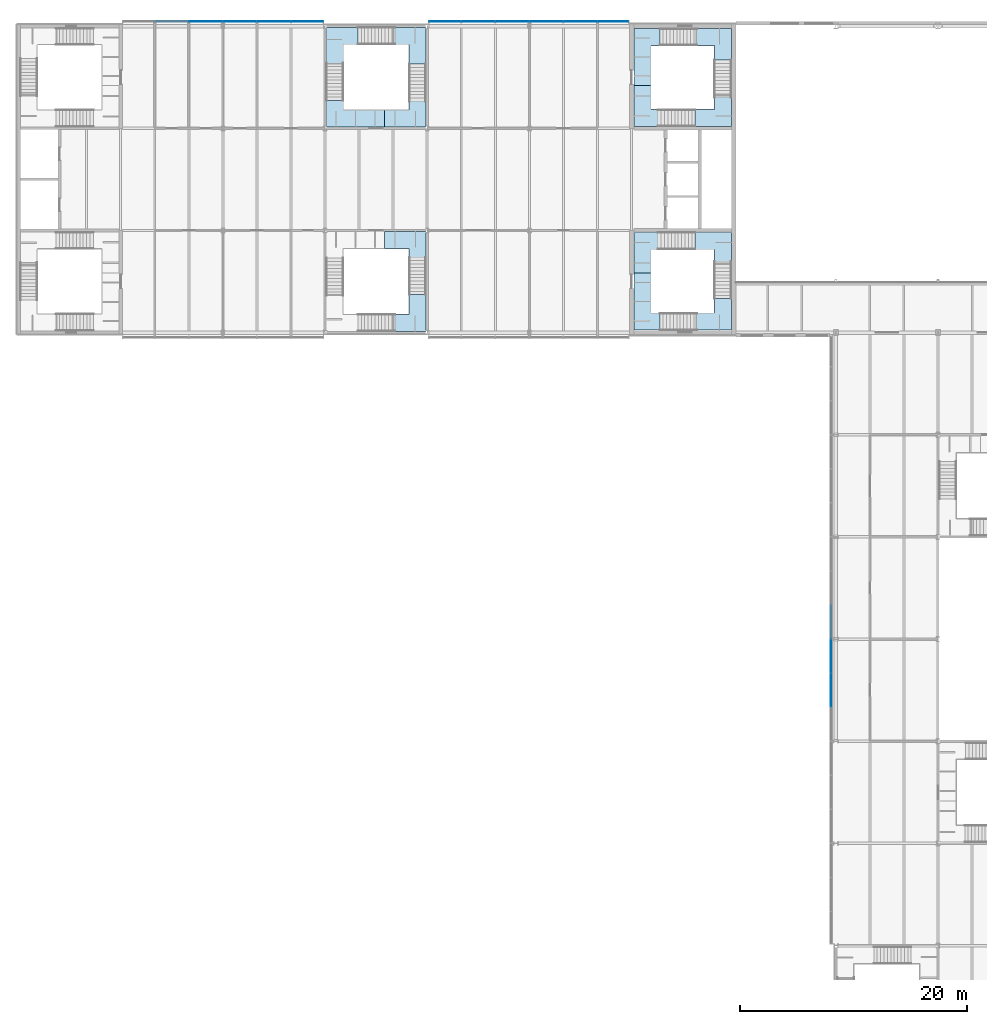
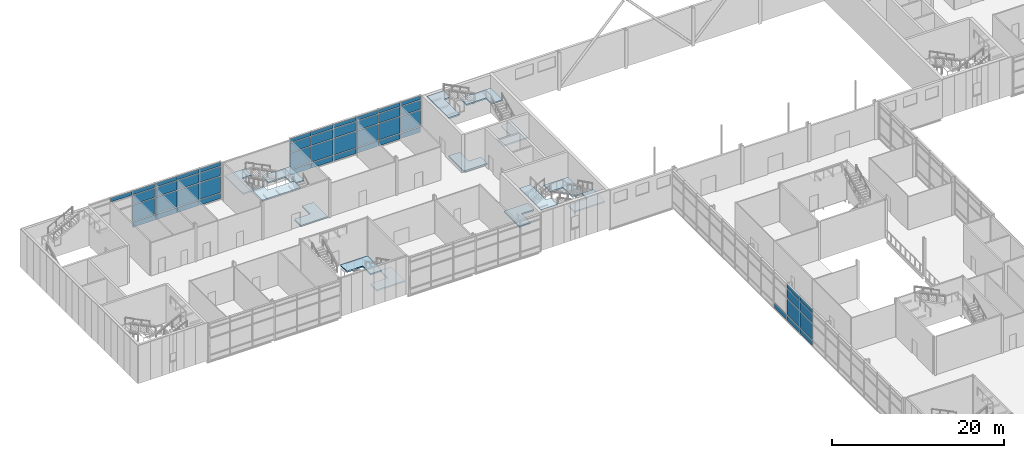
# One storey, part 32 of 56: 50 plates, 14 slabs, 7 elements without a shape of their own.
"""IFC4 building model written with IfcOpenShell, lengths in metres."""

from ifc_helpers import new_model, si_unit, direction, frame, origin, origin_2d, place, context, subcontext, project, spatial, polyline, rectangle, outline, extrude, material, layer, layer_set, type_object, element, aggregate, save


model = new_model("IFC4")

# Units and contexts
model_context = context("Model", 3, precision=1e-05, world=origin(), true_north=direction((0.0, 1.0)))
body_context = subcontext(model_context, "Body", "Model", "MODEL_VIEW")
ifc_project = project(units=[si_unit("LENGTHUNIT", "METRE"), si_unit("AREAUNIT", "SQUARE_METRE"), si_unit("VOLUMEUNIT", "CUBIC_METRE"), si_unit("PLANEANGLEUNIT", "RADIAN"), si_unit("MASSUNIT", "GRAM", prefix="KILO")], contexts=[model_context])

# Site, building, storey
site_placement = place(None, origin())
site = spatial("IfcSite", under=ifc_project, at=site_placement, CompositionType="ELEMENT")
building_placement = place(site_placement, origin())
building = spatial("IfcBuilding", under=site, at=building_placement, Name="Azimuth Sports and Learning Centre", CompositionType="ELEMENT")
storey_placement = place(building_placement, frame((0.0, 0.0, 5.39990234375)))
storey = spatial("IfcBuildingStorey", under=building, at=storey_placement, Name="L01", CompositionType="ELEMENT", Elevation=5.39990234375)

# Stair, slabs
ifc_material_1 = material(Name="Concrete C32/40", Category="concrete")
stair_type_1 = type_object("IfcStairType", Name="Square-well stair core 5400 storey", PredefinedType="THREE_QUARTER_TURN_STAIR", material=ifc_material_1)
stair_1_placement = place(storey_placement, origin())
stair_1 = element("IfcStair", 1, at=stair_1_placement, inside=storey, type_object=stair_type_1, Name="Stair W1 L01-L02", PredefinedType="THREE_QUARTER_TURN_STAIR")
ifc_material_2 = material(Name="Concrete C32/40", Category="concrete")
ifc_layer_1 = layer(ifc_material_2, 0.199951171875)
ifc_layer_set_1 = layer_set([ifc_layer_1], Name="Concrete C32/40")
slab_type = type_object("IfcSlabType", Name="Concrete stair landing", PredefinedType="LANDING", material=ifc_layer_set_1)
slab_1_placement = place(storey_placement, frame((0.0, 0.0, -0.199951171875)))
slab_1 = element("IfcSlab", 2, at=slab_1_placement, type_object=slab_type, Name="Stair W1 L01 landing 1", PredefinedType="LANDING", context=body_context, shape_type="SweptSolid", body=[
    extrude(outline(polyline([(54.2099609375, 98.840087890625), (54.2099609375, 95.25), (55.7099609375, 95.25), (55.7099609375, 97.340087890625), (57.409912109375, 97.340087890625), (57.409912109375, 98.840087890625), (54.2099609375, 98.840087890625)])), origin(), (0.0, 0.0, 1.0), 0.199951171875),
])
slab_2_placement = place(storey_placement, frame((0.0, 0.0, 1.60009765625)))
slab_2 = element("IfcSlab", 3, at=slab_2_placement, type_object=slab_type, Name="Stair W1 L01 landing 2", PredefinedType="LANDING", context=body_context, shape_type="SweptSolid", body=[
    extrude(outline(polyline([(61.2900390625, 97.340087890625), (61.2900390625, 95.18994140625), (62.7900390625, 95.18994140625), (62.7900390625, 98.840087890625), (59.609375, 98.840087890625), (59.609375, 97.340087890625), (61.2900390625, 97.340087890625)])), origin(), (0.0, 0.0, 1.0), 0.199951171875),
])
slab_3_placement = place(storey_placement, frame((0.0, 0.0, 3.400146484375)))
slab_3 = element("IfcSlab", 4, at=slab_3_placement, type_object=slab_type, Name="Stair W1 L01 landing 3", PredefinedType="LANDING", context=body_context, shape_type="SweptSolid", body=[
    extrude(outline(polyline([(61.2900390625, 91.7099609375), (58.68994140625, 91.7099609375), (58.68994140625, 90.2099609375), (62.7900390625, 90.2099609375), (62.7900390625, 92.99072265625), (61.2900390625, 92.99072265625), (61.2900390625, 91.7099609375)])), origin(), (0.0, 0.0, 1.0), 0.199951171875),
])
slab_4_placement = place(storey_placement, frame((0.0, 0.0, 5.2001953125)))
slab_4 = element("IfcSlab", 5, at=slab_4_placement, type_object=slab_type, Name="Stair W1 L01 landing 4", PredefinedType="LANDING", context=body_context, shape_type="SweptSolid", body=[
    extrude(outline(polyline([(55.7099609375, 91.7099609375), (55.7099609375, 95.25), (54.2099609375, 95.25), (54.2099609375, 90.2099609375), (56.49072265625, 90.2099609375), (56.49072265625, 91.7099609375), (55.7099609375, 91.7099609375)])), origin(), (0.0, 0.0, 1.0), 0.199951171875),
])
aggregate(stair_1, [slab_1, slab_2, slab_3, slab_4])

stair_2_placement = place(storey_placement, origin())
stair_2 = element("IfcStair", 6, at=stair_2_placement, inside=storey, type_object=stair_type_1, Name="Stair W2 L01-L02", PredefinedType="THREE_QUARTER_TURN_STAIR")
slab_5_placement = place(storey_placement, frame((0.0, 0.0, -0.199951171875)))
slab_5 = element("IfcSlab", 7, at=slab_5_placement, type_object=slab_type, Name="Stair W2 L01 landing 1", PredefinedType="LANDING", context=body_context, shape_type="SweptSolid", body=[
    extrude(outline(polyline([(57.409912109375, 109.659912109375), (55.7099609375, 109.659912109375), (55.7099609375, 111.75), (54.2099609375, 111.75), (54.2099609375, 108.159912109375), (57.409912109375, 108.159912109375), (57.409912109375, 109.659912109375)])), origin(), (0.0, 0.0, 1.0), 0.199951171875),
])
slab_6_placement = place(storey_placement, frame((0.0, 0.0, 1.60009765625)))
slab_6 = element("IfcSlab", 8, at=slab_6_placement, type_object=slab_type, Name="Stair W2 L01 landing 2", PredefinedType="LANDING", context=body_context, shape_type="SweptSolid", body=[
    extrude(outline(polyline([(61.2900390625, 109.659912109375), (59.609375, 109.659912109375), (59.609375, 108.159912109375), (62.7900390625, 108.159912109375), (62.7900390625, 111.81005859375), (61.2900390625, 111.81005859375), (61.2900390625, 109.659912109375)])), origin(), (0.0, 0.0, 1.0), 0.199951171875),
])
slab_7_placement = place(storey_placement, frame((0.0, 0.0, 3.400146484375)))
slab_7 = element("IfcSlab", 9, at=slab_7_placement, type_object=slab_type, Name="Stair W2 L01 landing 3", PredefinedType="LANDING", context=body_context, shape_type="SweptSolid", body=[
    extrude(outline(polyline([(61.2900390625, 115.2900390625), (61.2900390625, 114.00927734375), (62.7900390625, 114.00927734375), (62.7900390625, 116.7900390625), (58.68994140625, 116.7900390625), (58.68994140625, 115.2900390625), (61.2900390625, 115.2900390625)])), origin(), (0.0, 0.0, 1.0), 0.199951171875),
])
slab_8_placement = place(storey_placement, frame((0.0, 0.0, 5.2001953125)))
slab_8 = element("IfcSlab", 10, at=slab_8_placement, type_object=slab_type, Name="Stair W2 L01 landing 4", PredefinedType="LANDING", context=body_context, shape_type="SweptSolid", body=[
    extrude(outline(polyline([(55.7099609375, 115.2900390625), (56.49072265625, 115.2900390625), (56.49072265625, 116.7900390625), (54.2099609375, 116.7900390625), (54.2099609375, 111.75), (55.7099609375, 111.75), (55.7099609375, 115.2900390625)])), origin(), (0.0, 0.0, 1.0), 0.199951171875),
])
aggregate(stair_2, [slab_5, slab_6, slab_7, slab_8])

ifc_material_3 = material(Name="Concrete C32/40", Category="concrete")
stair_type_2 = type_object("IfcStairType", Name="Square-well stair mid-wing cell 5400 storey", PredefinedType="THREE_QUARTER_TURN_STAIR", material=ifc_material_3)
stair_3_placement = place(storey_placement, origin())
stair_3 = element("IfcStair", 11, at=stair_3_placement, inside=storey, type_object=stair_type_2, Name="Stair WM1 L01-L02", PredefinedType="THREE_QUARTER_TURN_STAIR")
slab_9_placement = place(storey_placement, frame((0.0, 0.0, -0.199951171875)))
slab_9 = element("IfcSlab", 12, at=slab_9_placement, type_object=slab_type, Name="Stair WM1 L01 landing 1", PredefinedType="LANDING", context=body_context, shape_type="SweptSolid", body=[
    extrude(outline(polyline([(35.889892578125, 98.889892578125), (32.25, 98.889892578125), (32.25, 97.389892578125), (34.389892578125, 97.389892578125), (34.389892578125, 95.5400390625), (35.889892578125, 95.5400390625), (35.889892578125, 98.889892578125)])), origin(), (0.0, 0.0, 1.0), 0.199951171875),
])
slab_10_placement = place(storey_placement, frame((0.0, 0.0, 1.60009765625)))
slab_10 = element("IfcSlab", 13, at=slab_10_placement, type_object=slab_type, Name="Stair WM1 L01 landing 2", PredefinedType="LANDING", context=body_context, shape_type="SweptSolid", body=[
    extrude(outline(polyline([(34.389892578125, 91.610107421875), (32.090087890625, 91.610107421875), (32.090087890625, 90.110107421875), (35.889892578125, 90.110107421875), (35.889892578125, 93.3408203125), (34.389892578125, 93.3408203125), (34.389892578125, 91.610107421875)])), origin(), (0.0, 0.0, 1.0), 0.199951171875),
])
aggregate(stair_3, [slab_9, slab_10])

stair_4_placement = place(storey_placement, origin())
stair_4 = element("IfcStair", 14, at=stair_4_placement, inside=storey, type_object=stair_type_2, Name="Stair WM2 L01-L02", PredefinedType="THREE_QUARTER_TURN_STAIR")
slab_11_placement = place(storey_placement, frame((0.0, 0.0, -0.199951171875)))
slab_11 = element("IfcSlab", 15, at=slab_11_placement, type_object=slab_type, Name="Stair WM2 L01 landing 1", PredefinedType="LANDING", context=body_context, shape_type="SweptSolid", body=[
    extrude(outline(polyline([(34.389892578125, 111.4599609375), (34.389892578125, 109.610107421875), (32.25, 109.610107421875), (32.25, 108.110107421875), (35.889892578125, 108.110107421875), (35.889892578125, 111.4599609375), (34.389892578125, 111.4599609375)])), origin(), (0.0, 0.0, 1.0), 0.199951171875),
])
slab_12_placement = place(storey_placement, frame((0.0, 0.0, 1.60009765625)))
slab_12 = element("IfcSlab", 16, at=slab_12_placement, type_object=slab_type, Name="Stair WM2 L01 landing 2", PredefinedType="LANDING", context=body_context, shape_type="SweptSolid", body=[
    extrude(outline(polyline([(34.389892578125, 115.389892578125), (34.389892578125, 113.6591796875), (35.889892578125, 113.6591796875), (35.889892578125, 116.889892578125), (32.090087890625, 116.889892578125), (32.090087890625, 115.389892578125), (34.389892578125, 115.389892578125)])), origin(), (0.0, 0.0, 1.0), 0.199951171875),
])
slab_13_placement = place(storey_placement, frame((0.0, 0.0, 3.400146484375)))
slab_13 = element("IfcSlab", 17, at=slab_13_placement, type_object=slab_type, Name="Stair WM2 L01 landing 3", PredefinedType="LANDING", context=body_context, shape_type="SweptSolid", body=[
    extrude(outline(polyline([(28.610107421875, 115.389892578125), (29.890625, 115.389892578125), (29.890625, 116.889892578125), (27.110107421875, 116.889892578125), (27.110107421875, 112.639892578125), (28.610107421875, 112.639892578125), (28.610107421875, 115.389892578125)])), origin(), (0.0, 0.0, 1.0), 0.199951171875),
])
slab_14_placement = place(storey_placement, frame((0.0, 0.0, 5.2001953125)))
slab_14 = element("IfcSlab", 18, at=slab_14_placement, type_object=slab_type, Name="Stair WM2 L01 landing 4", PredefinedType="LANDING", context=body_context, shape_type="SweptSolid", body=[
    extrude(outline(polyline([(28.610107421875, 109.610107421875), (28.610107421875, 110.440673828125), (27.110107421875, 110.440673828125), (27.110107421875, 108.110107421875), (32.25, 108.110107421875), (32.25, 109.610107421875), (28.610107421875, 109.610107421875)])), origin(), (0.0, 0.0, 1.0), 0.199951171875),
])
aggregate(stair_4, [slab_11, slab_12, slab_13, slab_14])

# Curtain wall, plates
ifc_material_4 = material(Name="Aluminium and glass", Category="aluminium")
curtain_wall_type_1 = type_object("IfcCurtainWallType", Name="Curtain wall podium stem 240", PredefinedType="NOTDEFINED", material=ifc_material_4)
curtain_wall_1_placement = place(storey_placement, origin())
curtain_wall_1 = element("IfcCurtainWall", 19, at=curtain_wall_1_placement, inside=storey, type_object=curtain_wall_type_1, Name="Curtain wall CW01-003", PredefinedType="NOTDEFINED")
ifc_material_5 = material(Name="Insulated aluminium panel", Category="aluminium")
ifc_layer_2 = layer(ifc_material_5, 0.06005859375)
ifc_layer_set_2 = layer_set([ifc_layer_2], Name="Insulated aluminium panel")
plate_type_1 = type_object("IfcPlateType", Name="Spandrel panel 60 mm", PredefinedType="CURTAIN_PANEL", material=ifc_layer_set_2)
plate_1_placement = place(storey_placement, frame((71.580078125, 64.5, 0.1201171875), z_axis=(0.0, 0.0, 1.0), x_axis=(0.0, -1.0, 0.0)))
plate_1 = element("IfcPlate", 20, at=plate_1_placement, type_object=plate_type_1, Name="CW01-003 panel 9.1", PredefinedType="CURTAIN_PANEL", context=body_context, shape_type="SweptSolid", body=[
    extrude(rectangle(XDim=2.919921875, YDim=0.06005859375, at=origin_2d()), origin(), (0.0, 0.0, 1.0), 0.719970703125),
])
plate_2_placement = place(storey_placement, frame((71.580078125, 61.5, 0.1201171875), z_axis=(0.0, 0.0, 1.0), x_axis=(0.0, -1.0, 0.0)))
plate_2 = element("IfcPlate", 21, at=plate_2_placement, type_object=plate_type_1, Name="CW01-003 panel 10.1", PredefinedType="CURTAIN_PANEL", context=body_context, shape_type="SweptSolid", body=[
    extrude(rectangle(XDim=2.919921875, YDim=0.06005859375, at=origin_2d()), origin(), (0.0, 0.0, 1.0), 0.719970703125),
])
plate_3_placement = place(storey_placement, frame((71.580078125, 61.5, 4.760009765625), z_axis=(0.0, 0.0, 1.0), x_axis=(0.0, -1.0, 0.0)))
plate_3 = element("IfcPlate", 22, at=plate_3_placement, type_object=plate_type_1, Name="CW01-003 panel 10.4", PredefinedType="CURTAIN_PANEL", context=body_context, shape_type="SweptSolid", body=[
    extrude(rectangle(XDim=2.919921875, YDim=0.06005859375, at=origin_2d()), origin(), (0.0, 0.0, 1.0), 0.52001953125),
])
plate_4_placement = place(storey_placement, frame((71.580078125, 58.5, 0.1201171875), z_axis=(0.0, 0.0, 1.0), x_axis=(0.0, -1.0, 0.0)))
plate_4 = element("IfcPlate", 23, at=plate_4_placement, type_object=plate_type_1, Name="CW01-003 panel 11.1", PredefinedType="CURTAIN_PANEL", context=body_context, shape_type="SweptSolid", body=[
    extrude(rectangle(XDim=2.919921875, YDim=0.06005859375, at=origin_2d()), origin(), (0.0, 0.0, 1.0), 0.719970703125),
])
plate_5_placement = place(storey_placement, frame((71.580078125, 58.5, 4.760009765625), z_axis=(0.0, 0.0, 1.0), x_axis=(0.0, -1.0, 0.0)))
plate_5 = element("IfcPlate", 24, at=plate_5_placement, type_object=plate_type_1, Name="CW01-003 panel 11.4", PredefinedType="CURTAIN_PANEL", context=body_context, shape_type="SweptSolid", body=[
    extrude(rectangle(XDim=2.919921875, YDim=0.06005859375, at=origin_2d()), origin(), (0.0, 0.0, 1.0), 0.52001953125),
])

ifc_material_6 = material(Name="Aluminium and glass", Category="aluminium")
curtain_wall_type_2 = type_object("IfcCurtainWallType", Name="Curtain wall podium wing 240", PredefinedType="NOTDEFINED", material=ifc_material_6)
curtain_wall_2_placement = place(storey_placement, origin())
curtain_wall_2 = element("IfcCurtainWall", 25, at=curtain_wall_2_placement, inside=storey, type_object=curtain_wall_type_2, Name="Curtain wall CW01-013", PredefinedType="NOTDEFINED")
plate_6_placement = place(storey_placement, frame((52.3798828125, 117.419921875, 0.1201171875), z_axis=(0.0, 0.0, 1.0), x_axis=(-1.0, 0.0, 0.0)))
plate_6 = element("IfcPlate", 26, at=plate_6_placement, type_object=plate_type_1, Name="CW01-013 panel 1.1", PredefinedType="CURTAIN_PANEL", context=body_context, shape_type="SweptSolid", body=[
    extrude(rectangle(XDim=2.679931640625, YDim=0.06005859375, at=origin_2d()), origin(), (0.0, 0.0, 1.0), 0.719970703125),
])
plate_7_placement = place(storey_placement, frame((52.3798828125, 117.419921875, 4.760009765625), z_axis=(0.0, 0.0, 1.0), x_axis=(-1.0, 0.0, 0.0)))
plate_7 = element("IfcPlate", 27, at=plate_7_placement, type_object=plate_type_1, Name="CW01-013 panel 1.4", PredefinedType="CURTAIN_PANEL", context=body_context, shape_type="SweptSolid", body=[
    extrude(rectangle(XDim=2.679931640625, YDim=0.06005859375, at=origin_2d()), origin(), (0.0, 0.0, 1.0), 0.52001953125),
])
plate_8_placement = place(storey_placement, frame((49.5, 117.419921875, 0.1201171875), z_axis=(0.0, 0.0, 1.0), x_axis=(-1.0, 0.0, 0.0)))
plate_8 = element("IfcPlate", 28, at=plate_8_placement, type_object=plate_type_1, Name="CW01-013 panel 2.1", PredefinedType="CURTAIN_PANEL", context=body_context, shape_type="SweptSolid", body=[
    extrude(rectangle(XDim=2.919921875, YDim=0.06005859375, at=origin_2d()), origin(), (0.0, 0.0, 1.0), 0.719970703125),
])
plate_9_placement = place(storey_placement, frame((49.5, 117.419921875, 4.760009765625), z_axis=(0.0, 0.0, 1.0), x_axis=(-1.0, 0.0, 0.0)))
plate_9 = element("IfcPlate", 29, at=plate_9_placement, type_object=plate_type_1, Name="CW01-013 panel 2.4", PredefinedType="CURTAIN_PANEL", context=body_context, shape_type="SweptSolid", body=[
    extrude(rectangle(XDim=2.919921875, YDim=0.06005859375, at=origin_2d()), origin(), (0.0, 0.0, 1.0), 0.52001953125),
])
plate_10_placement = place(storey_placement, frame((46.5, 117.419921875, 0.1201171875), z_axis=(0.0, 0.0, 1.0), x_axis=(-1.0, 0.0, 0.0)))
plate_10 = element("IfcPlate", 30, at=plate_10_placement, type_object=plate_type_1, Name="CW01-013 panel 3.1", PredefinedType="CURTAIN_PANEL", context=body_context, shape_type="SweptSolid", body=[
    extrude(rectangle(XDim=2.919921875, YDim=0.06005859375, at=origin_2d()), origin(), (0.0, 0.0, 1.0), 0.719970703125),
])
plate_11_placement = place(storey_placement, frame((46.5, 117.419921875, 4.760009765625), z_axis=(0.0, 0.0, 1.0), x_axis=(-1.0, 0.0, 0.0)))
plate_11 = element("IfcPlate", 31, at=plate_11_placement, type_object=plate_type_1, Name="CW01-013 panel 3.4", PredefinedType="CURTAIN_PANEL", context=body_context, shape_type="SweptSolid", body=[
    extrude(rectangle(XDim=2.919921875, YDim=0.06005859375, at=origin_2d()), origin(), (0.0, 0.0, 1.0), 0.52001953125),
])
plate_12_placement = place(storey_placement, frame((43.5, 117.419921875, 0.1201171875), z_axis=(0.0, 0.0, 1.0), x_axis=(-1.0, 0.0, 0.0)))
plate_12 = element("IfcPlate", 32, at=plate_12_placement, type_object=plate_type_1, Name="CW01-013 panel 4.1", PredefinedType="CURTAIN_PANEL", context=body_context, shape_type="SweptSolid", body=[
    extrude(rectangle(XDim=2.919921875, YDim=0.06005859375, at=origin_2d()), origin(), (0.0, 0.0, 1.0), 0.719970703125),
])
plate_13_placement = place(storey_placement, frame((43.5, 117.419921875, 4.760009765625), z_axis=(0.0, 0.0, 1.0), x_axis=(-1.0, 0.0, 0.0)))
plate_13 = element("IfcPlate", 33, at=plate_13_placement, type_object=plate_type_1, Name="CW01-013 panel 4.4", PredefinedType="CURTAIN_PANEL", context=body_context, shape_type="SweptSolid", body=[
    extrude(rectangle(XDim=2.919921875, YDim=0.06005859375, at=origin_2d()), origin(), (0.0, 0.0, 1.0), 0.52001953125),
])
plate_14_placement = place(storey_placement, frame((40.5, 117.419921875, 0.1201171875), z_axis=(0.0, 0.0, 1.0), x_axis=(-1.0, 0.0, 0.0)))
plate_14 = element("IfcPlate", 34, at=plate_14_placement, type_object=plate_type_1, Name="CW01-013 panel 5.1", PredefinedType="CURTAIN_PANEL", context=body_context, shape_type="SweptSolid", body=[
    extrude(rectangle(XDim=2.919921875, YDim=0.06005859375, at=origin_2d()), origin(), (0.0, 0.0, 1.0), 0.719970703125),
])
plate_15_placement = place(storey_placement, frame((40.5, 117.419921875, 4.760009765625), z_axis=(0.0, 0.0, 1.0), x_axis=(-1.0, 0.0, 0.0)))
plate_15 = element("IfcPlate", 35, at=plate_15_placement, type_object=plate_type_1, Name="CW01-013 panel 5.4", PredefinedType="CURTAIN_PANEL", context=body_context, shape_type="SweptSolid", body=[
    extrude(rectangle(XDim=2.919921875, YDim=0.06005859375, at=origin_2d()), origin(), (0.0, 0.0, 1.0), 0.52001953125),
])
plate_16_placement = place(storey_placement, frame((37.570068359375, 117.419921875, 0.1201171875), z_axis=(0.0, 0.0, 1.0), x_axis=(-1.0, 0.0, 0.0)))
plate_16 = element("IfcPlate", 36, at=plate_16_placement, type_object=plate_type_1, Name="CW01-013 panel 6.1", PredefinedType="CURTAIN_PANEL", context=body_context, shape_type="SweptSolid", body=[
    extrude(rectangle(XDim=2.780029296875, YDim=0.06005859375, at=origin_2d()), origin(), (0.0, 0.0, 1.0), 0.719970703125),
])
plate_17_placement = place(storey_placement, frame((37.570068359375, 117.419921875, 4.760009765625), z_axis=(0.0, 0.0, 1.0), x_axis=(-1.0, 0.0, 0.0)))
plate_17 = element("IfcPlate", 37, at=plate_17_placement, type_object=plate_type_1, Name="CW01-013 panel 6.4", PredefinedType="CURTAIN_PANEL", context=body_context, shape_type="SweptSolid", body=[
    extrude(rectangle(XDim=2.780029296875, YDim=0.06005859375, at=origin_2d()), origin(), (0.0, 0.0, 1.0), 0.52001953125),
])

curtain_wall_3_placement = place(storey_placement, origin())
curtain_wall_3 = element("IfcCurtainWall", 38, at=curtain_wall_3_placement, inside=storey, type_object=curtain_wall_type_2, Name="Curtain wall CW01-014", PredefinedType="NOTDEFINED")
plate_18_placement = place(storey_placement, frame((25.429931640625, 117.419921875, 0.1201171875), z_axis=(0.0, 0.0, 1.0), x_axis=(-1.0, 0.0, 0.0)))
plate_18 = element("IfcPlate", 39, at=plate_18_placement, type_object=plate_type_1, Name="CW01-014 panel 1.1", PredefinedType="CURTAIN_PANEL", context=body_context, shape_type="SweptSolid", body=[
    extrude(rectangle(XDim=2.780029296875, YDim=0.06005859375, at=origin_2d()), origin(), (0.0, 0.0, 1.0), 0.719970703125),
])
plate_19_placement = place(storey_placement, frame((25.429931640625, 117.419921875, 4.760009765625), z_axis=(0.0, 0.0, 1.0), x_axis=(-1.0, 0.0, 0.0)))
plate_19 = element("IfcPlate", 40, at=plate_19_placement, type_object=plate_type_1, Name="CW01-014 panel 1.4", PredefinedType="CURTAIN_PANEL", context=body_context, shape_type="SweptSolid", body=[
    extrude(rectangle(XDim=2.780029296875, YDim=0.06005859375, at=origin_2d()), origin(), (0.0, 0.0, 1.0), 0.52001953125),
])
plate_20_placement = place(storey_placement, frame((22.5, 117.419921875, 0.1201171875), z_axis=(0.0, 0.0, 1.0), x_axis=(-1.0, 0.0, 0.0)))
plate_20 = element("IfcPlate", 41, at=plate_20_placement, type_object=plate_type_1, Name="CW01-014 panel 2.1", PredefinedType="CURTAIN_PANEL", context=body_context, shape_type="SweptSolid", body=[
    extrude(rectangle(XDim=2.919921875, YDim=0.06005859375, at=origin_2d()), origin(), (0.0, 0.0, 1.0), 0.719970703125),
])
plate_21_placement = place(storey_placement, frame((22.5, 117.419921875, 4.760009765625), z_axis=(0.0, 0.0, 1.0), x_axis=(-1.0, 0.0, 0.0)))
plate_21 = element("IfcPlate", 42, at=plate_21_placement, type_object=plate_type_1, Name="CW01-014 panel 2.4", PredefinedType="CURTAIN_PANEL", context=body_context, shape_type="SweptSolid", body=[
    extrude(rectangle(XDim=2.919921875, YDim=0.06005859375, at=origin_2d()), origin(), (0.0, 0.0, 1.0), 0.52001953125),
])
plate_22_placement = place(storey_placement, frame((19.5, 117.419921875, 0.1201171875), z_axis=(0.0, 0.0, 1.0), x_axis=(-1.0, 0.0, 0.0)))
plate_22 = element("IfcPlate", 43, at=plate_22_placement, type_object=plate_type_1, Name="CW01-014 panel 3.1", PredefinedType="CURTAIN_PANEL", context=body_context, shape_type="SweptSolid", body=[
    extrude(rectangle(XDim=2.919921875, YDim=0.06005859375, at=origin_2d()), origin(), (0.0, 0.0, 1.0), 0.719970703125),
])
plate_23_placement = place(storey_placement, frame((19.5, 117.419921875, 4.760009765625), z_axis=(0.0, 0.0, 1.0), x_axis=(-1.0, 0.0, 0.0)))
plate_23 = element("IfcPlate", 44, at=plate_23_placement, type_object=plate_type_1, Name="CW01-014 panel 3.4", PredefinedType="CURTAIN_PANEL", context=body_context, shape_type="SweptSolid", body=[
    extrude(rectangle(XDim=2.919921875, YDim=0.06005859375, at=origin_2d()), origin(), (0.0, 0.0, 1.0), 0.52001953125),
])
plate_24_placement = place(storey_placement, frame((16.5, 117.419921875, 0.1201171875), z_axis=(0.0, 0.0, 1.0), x_axis=(-1.0, 0.0, 0.0)))
plate_24 = element("IfcPlate", 45, at=plate_24_placement, type_object=plate_type_1, Name="CW01-014 panel 4.1", PredefinedType="CURTAIN_PANEL", context=body_context, shape_type="SweptSolid", body=[
    extrude(rectangle(XDim=2.919921875, YDim=0.06005859375, at=origin_2d()), origin(), (0.0, 0.0, 1.0), 0.719970703125),
])
plate_25_placement = place(storey_placement, frame((16.5, 117.419921875, 4.760009765625), z_axis=(0.0, 0.0, 1.0), x_axis=(-1.0, 0.0, 0.0)))
plate_25 = element("IfcPlate", 46, at=plate_25_placement, type_object=plate_type_1, Name="CW01-014 panel 4.4", PredefinedType="CURTAIN_PANEL", context=body_context, shape_type="SweptSolid", body=[
    extrude(rectangle(XDim=2.919921875, YDim=0.06005859375, at=origin_2d()), origin(), (0.0, 0.0, 1.0), 0.52001953125),
])
plate_26_placement = place(storey_placement, frame((13.5, 117.419921875, 4.760009765625), z_axis=(0.0, 0.0, 1.0), x_axis=(-1.0, 0.0, 0.0)))
plate_26 = element("IfcPlate", 47, at=plate_26_placement, type_object=plate_type_1, Name="CW01-014 panel 5.4", PredefinedType="CURTAIN_PANEL", context=body_context, shape_type="SweptSolid", body=[
    extrude(rectangle(XDim=2.919921875, YDim=0.06005859375, at=origin_2d()), origin(), (0.0, 0.0, 1.0), 0.52001953125),
])

# Plate
ifc_material_7 = material(Name="Glass", Category="glass")
ifc_layer_3 = layer(ifc_material_7, 0.0439453125)
ifc_layer_set_3 = layer_set([ifc_layer_3], Name="Glass")
plate_type_2 = type_object("IfcPlateType", Name="Vision glass 44 mm", PredefinedType="CURTAIN_PANEL", material=ifc_layer_set_3)
plate_27_placement = place(storey_placement, frame((71.580078125, 61.5, 0.9599609375), z_axis=(0.0, 0.0, 1.0), x_axis=(0.0, -1.0, 0.0)))
plate_27 = element("IfcPlate", 48, at=plate_27_placement, type_object=plate_type_2, Name="CW01-003 panel 10.2", PredefinedType="CURTAIN_PANEL", context=body_context, shape_type="SweptSolid", body=[
    extrude(rectangle(XDim=2.919921875, YDim=0.0439453125, at=origin_2d()), origin(), (0.0, 0.0, 1.0), 2.280029296875),
])

plate_28_placement = place(storey_placement, frame((71.580078125, 61.5, 3.35986328125), z_axis=(0.0, 0.0, 1.0), x_axis=(0.0, -1.0, 0.0)))
plate_28 = element("IfcPlate", 49, at=plate_28_placement, type_object=plate_type_2, Name="CW01-003 panel 10.3", PredefinedType="CURTAIN_PANEL", context=body_context, shape_type="SweptSolid", body=[
    extrude(rectangle(XDim=2.919921875, YDim=0.0439453125, at=origin_2d()), origin(), (0.0, 0.0, 1.0), 1.280029296875),
])

plate_29_placement = place(storey_placement, frame((71.580078125, 58.5, 0.9599609375), z_axis=(0.0, 0.0, 1.0), x_axis=(0.0, -1.0, 0.0)))
plate_29 = element("IfcPlate", 50, at=plate_29_placement, type_object=plate_type_2, Name="CW01-003 panel 11.2", PredefinedType="CURTAIN_PANEL", context=body_context, shape_type="SweptSolid", body=[
    extrude(rectangle(XDim=2.919921875, YDim=0.0439453125, at=origin_2d()), origin(), (0.0, 0.0, 1.0), 2.280029296875),
])

plate_30_placement = place(storey_placement, frame((71.580078125, 58.5, 3.35986328125), z_axis=(0.0, 0.0, 1.0), x_axis=(0.0, -1.0, 0.0)))
plate_30 = element("IfcPlate", 51, at=plate_30_placement, type_object=plate_type_2, Name="CW01-003 panel 11.3", PredefinedType="CURTAIN_PANEL", context=body_context, shape_type="SweptSolid", body=[
    extrude(rectangle(XDim=2.919921875, YDim=0.0439453125, at=origin_2d()), origin(), (0.0, 0.0, 1.0), 1.280029296875),
])

aggregate(curtain_wall_1, [plate_1, plate_2, plate_27, plate_28, plate_3, plate_4, plate_29, plate_30, plate_5])

plate_31_placement = place(storey_placement, frame((52.3798828125, 117.419921875, 0.9599609375), z_axis=(0.0, 0.0, 1.0), x_axis=(-1.0, 0.0, 0.0)))
plate_31 = element("IfcPlate", 52, at=plate_31_placement, type_object=plate_type_2, Name="CW01-013 panel 1.2", PredefinedType="CURTAIN_PANEL", context=body_context, shape_type="SweptSolid", body=[
    extrude(rectangle(XDim=2.679931640625, YDim=0.0439453125, at=origin_2d()), origin(), (0.0, 0.0, 1.0), 2.280029296875),
])

plate_32_placement = place(storey_placement, frame((52.3798828125, 117.419921875, 3.35986328125), z_axis=(0.0, 0.0, 1.0), x_axis=(-1.0, 0.0, 0.0)))
plate_32 = element("IfcPlate", 53, at=plate_32_placement, type_object=plate_type_2, Name="CW01-013 panel 1.3", PredefinedType="CURTAIN_PANEL", context=body_context, shape_type="SweptSolid", body=[
    extrude(rectangle(XDim=2.679931640625, YDim=0.0439453125, at=origin_2d()), origin(), (0.0, 0.0, 1.0), 1.280029296875),
])

plate_33_placement = place(storey_placement, frame((49.5, 117.419921875, 0.9599609375), z_axis=(0.0, 0.0, 1.0), x_axis=(-1.0, 0.0, 0.0)))
plate_33 = element("IfcPlate", 54, at=plate_33_placement, type_object=plate_type_2, Name="CW01-013 panel 2.2", PredefinedType="CURTAIN_PANEL", context=body_context, shape_type="SweptSolid", body=[
    extrude(rectangle(XDim=2.919921875, YDim=0.0439453125, at=origin_2d()), origin(), (0.0, 0.0, 1.0), 2.280029296875),
])

plate_34_placement = place(storey_placement, frame((49.5, 117.419921875, 3.35986328125), z_axis=(0.0, 0.0, 1.0), x_axis=(-1.0, 0.0, 0.0)))
plate_34 = element("IfcPlate", 55, at=plate_34_placement, type_object=plate_type_2, Name="CW01-013 panel 2.3", PredefinedType="CURTAIN_PANEL", context=body_context, shape_type="SweptSolid", body=[
    extrude(rectangle(XDim=2.919921875, YDim=0.0439453125, at=origin_2d()), origin(), (0.0, 0.0, 1.0), 1.280029296875),
])

plate_35_placement = place(storey_placement, frame((46.5, 117.419921875, 0.9599609375), z_axis=(0.0, 0.0, 1.0), x_axis=(-1.0, 0.0, 0.0)))
plate_35 = element("IfcPlate", 56, at=plate_35_placement, type_object=plate_type_2, Name="CW01-013 panel 3.2", PredefinedType="CURTAIN_PANEL", context=body_context, shape_type="SweptSolid", body=[
    extrude(rectangle(XDim=2.919921875, YDim=0.0439453125, at=origin_2d()), origin(), (0.0, 0.0, 1.0), 2.280029296875),
])

plate_36_placement = place(storey_placement, frame((46.5, 117.419921875, 3.35986328125), z_axis=(0.0, 0.0, 1.0), x_axis=(-1.0, 0.0, 0.0)))
plate_36 = element("IfcPlate", 57, at=plate_36_placement, type_object=plate_type_2, Name="CW01-013 panel 3.3", PredefinedType="CURTAIN_PANEL", context=body_context, shape_type="SweptSolid", body=[
    extrude(rectangle(XDim=2.919921875, YDim=0.0439453125, at=origin_2d()), origin(), (0.0, 0.0, 1.0), 1.280029296875),
])

plate_37_placement = place(storey_placement, frame((43.5, 117.419921875, 0.9599609375), z_axis=(0.0, 0.0, 1.0), x_axis=(-1.0, 0.0, 0.0)))
plate_37 = element("IfcPlate", 58, at=plate_37_placement, type_object=plate_type_2, Name="CW01-013 panel 4.2", PredefinedType="CURTAIN_PANEL", context=body_context, shape_type="SweptSolid", body=[
    extrude(rectangle(XDim=2.919921875, YDim=0.0439453125, at=origin_2d()), origin(), (0.0, 0.0, 1.0), 2.280029296875),
])

plate_38_placement = place(storey_placement, frame((43.5, 117.419921875, 3.35986328125), z_axis=(0.0, 0.0, 1.0), x_axis=(-1.0, 0.0, 0.0)))
plate_38 = element("IfcPlate", 59, at=plate_38_placement, type_object=plate_type_2, Name="CW01-013 panel 4.3", PredefinedType="CURTAIN_PANEL", context=body_context, shape_type="SweptSolid", body=[
    extrude(rectangle(XDim=2.919921875, YDim=0.0439453125, at=origin_2d()), origin(), (0.0, 0.0, 1.0), 1.280029296875),
])

plate_39_placement = place(storey_placement, frame((40.5, 117.419921875, 0.9599609375), z_axis=(0.0, 0.0, 1.0), x_axis=(-1.0, 0.0, 0.0)))
plate_39 = element("IfcPlate", 60, at=plate_39_placement, type_object=plate_type_2, Name="CW01-013 panel 5.2", PredefinedType="CURTAIN_PANEL", context=body_context, shape_type="SweptSolid", body=[
    extrude(rectangle(XDim=2.919921875, YDim=0.0439453125, at=origin_2d()), origin(), (0.0, 0.0, 1.0), 2.280029296875),
])

plate_40_placement = place(storey_placement, frame((40.5, 117.419921875, 3.35986328125), z_axis=(0.0, 0.0, 1.0), x_axis=(-1.0, 0.0, 0.0)))
plate_40 = element("IfcPlate", 61, at=plate_40_placement, type_object=plate_type_2, Name="CW01-013 panel 5.3", PredefinedType="CURTAIN_PANEL", context=body_context, shape_type="SweptSolid", body=[
    extrude(rectangle(XDim=2.919921875, YDim=0.0439453125, at=origin_2d()), origin(), (0.0, 0.0, 1.0), 1.280029296875),
])

plate_41_placement = place(storey_placement, frame((37.570068359375, 117.419921875, 0.9599609375), z_axis=(0.0, 0.0, 1.0), x_axis=(-1.0, 0.0, 0.0)))
plate_41 = element("IfcPlate", 62, at=plate_41_placement, type_object=plate_type_2, Name="CW01-013 panel 6.2", PredefinedType="CURTAIN_PANEL", context=body_context, shape_type="SweptSolid", body=[
    extrude(rectangle(XDim=2.780029296875, YDim=0.0439453125, at=origin_2d()), origin(), (0.0, 0.0, 1.0), 2.280029296875),
])

plate_42_placement = place(storey_placement, frame((37.570068359375, 117.419921875, 3.35986328125), z_axis=(0.0, 0.0, 1.0), x_axis=(-1.0, 0.0, 0.0)))
plate_42 = element("IfcPlate", 63, at=plate_42_placement, type_object=plate_type_2, Name="CW01-013 panel 6.3", PredefinedType="CURTAIN_PANEL", context=body_context, shape_type="SweptSolid", body=[
    extrude(rectangle(XDim=2.780029296875, YDim=0.0439453125, at=origin_2d()), origin(), (0.0, 0.0, 1.0), 1.280029296875),
])

aggregate(curtain_wall_2, [plate_6, plate_31, plate_32, plate_7, plate_8, plate_33, plate_34, plate_9, plate_10, plate_35, plate_36, plate_11, plate_12, plate_37, plate_38, plate_13, plate_14, plate_39, plate_40, plate_15, plate_16, plate_41, plate_42, plate_17])

plate_43_placement = place(storey_placement, frame((25.429931640625, 117.419921875, 0.9599609375), z_axis=(0.0, 0.0, 1.0), x_axis=(-1.0, 0.0, 0.0)))
plate_43 = element("IfcPlate", 64, at=plate_43_placement, type_object=plate_type_2, Name="CW01-014 panel 1.2", PredefinedType="CURTAIN_PANEL", context=body_context, shape_type="SweptSolid", body=[
    extrude(rectangle(XDim=2.780029296875, YDim=0.0439453125, at=origin_2d()), origin(), (0.0, 0.0, 1.0), 2.280029296875),
])

plate_44_placement = place(storey_placement, frame((25.429931640625, 117.419921875, 3.35986328125), z_axis=(0.0, 0.0, 1.0), x_axis=(-1.0, 0.0, 0.0)))
plate_44 = element("IfcPlate", 65, at=plate_44_placement, type_object=plate_type_2, Name="CW01-014 panel 1.3", PredefinedType="CURTAIN_PANEL", context=body_context, shape_type="SweptSolid", body=[
    extrude(rectangle(XDim=2.780029296875, YDim=0.0439453125, at=origin_2d()), origin(), (0.0, 0.0, 1.0), 1.280029296875),
])

plate_45_placement = place(storey_placement, frame((22.5, 117.419921875, 0.9599609375), z_axis=(0.0, 0.0, 1.0), x_axis=(-1.0, 0.0, 0.0)))
plate_45 = element("IfcPlate", 66, at=plate_45_placement, type_object=plate_type_2, Name="CW01-014 panel 2.2", PredefinedType="CURTAIN_PANEL", context=body_context, shape_type="SweptSolid", body=[
    extrude(rectangle(XDim=2.919921875, YDim=0.0439453125, at=origin_2d()), origin(), (0.0, 0.0, 1.0), 2.280029296875),
])

plate_46_placement = place(storey_placement, frame((22.5, 117.419921875, 3.35986328125), z_axis=(0.0, 0.0, 1.0), x_axis=(-1.0, 0.0, 0.0)))
plate_46 = element("IfcPlate", 67, at=plate_46_placement, type_object=plate_type_2, Name="CW01-014 panel 2.3", PredefinedType="CURTAIN_PANEL", context=body_context, shape_type="SweptSolid", body=[
    extrude(rectangle(XDim=2.919921875, YDim=0.0439453125, at=origin_2d()), origin(), (0.0, 0.0, 1.0), 1.280029296875),
])

plate_47_placement = place(storey_placement, frame((19.5, 117.419921875, 0.9599609375), z_axis=(0.0, 0.0, 1.0), x_axis=(-1.0, 0.0, 0.0)))
plate_47 = element("IfcPlate", 68, at=plate_47_placement, type_object=plate_type_2, Name="CW01-014 panel 3.2", PredefinedType="CURTAIN_PANEL", context=body_context, shape_type="SweptSolid", body=[
    extrude(rectangle(XDim=2.919921875, YDim=0.0439453125, at=origin_2d()), origin(), (0.0, 0.0, 1.0), 2.280029296875),
])

plate_48_placement = place(storey_placement, frame((19.5, 117.419921875, 3.35986328125), z_axis=(0.0, 0.0, 1.0), x_axis=(-1.0, 0.0, 0.0)))
plate_48 = element("IfcPlate", 69, at=plate_48_placement, type_object=plate_type_2, Name="CW01-014 panel 3.3", PredefinedType="CURTAIN_PANEL", context=body_context, shape_type="SweptSolid", body=[
    extrude(rectangle(XDim=2.919921875, YDim=0.0439453125, at=origin_2d()), origin(), (0.0, 0.0, 1.0), 1.280029296875),
])

plate_49_placement = place(storey_placement, frame((16.5, 117.419921875, 0.9599609375), z_axis=(0.0, 0.0, 1.0), x_axis=(-1.0, 0.0, 0.0)))
plate_49 = element("IfcPlate", 70, at=plate_49_placement, type_object=plate_type_2, Name="CW01-014 panel 4.2", PredefinedType="CURTAIN_PANEL", context=body_context, shape_type="SweptSolid", body=[
    extrude(rectangle(XDim=2.919921875, YDim=0.0439453125, at=origin_2d()), origin(), (0.0, 0.0, 1.0), 2.280029296875),
])

plate_50_placement = place(storey_placement, frame((16.5, 117.419921875, 3.35986328125), z_axis=(0.0, 0.0, 1.0), x_axis=(-1.0, 0.0, 0.0)))
plate_50 = element("IfcPlate", 71, at=plate_50_placement, type_object=plate_type_2, Name="CW01-014 panel 4.3", PredefinedType="CURTAIN_PANEL", context=body_context, shape_type="SweptSolid", body=[
    extrude(rectangle(XDim=2.919921875, YDim=0.0439453125, at=origin_2d()), origin(), (0.0, 0.0, 1.0), 1.280029296875),
])

aggregate(curtain_wall_3, [plate_18, plate_43, plate_44, plate_19, plate_20, plate_45, plate_46, plate_21, plate_22, plate_47, plate_48, plate_23, plate_24, plate_49, plate_50, plate_25, plate_26])

save(model, "model.ifc")
